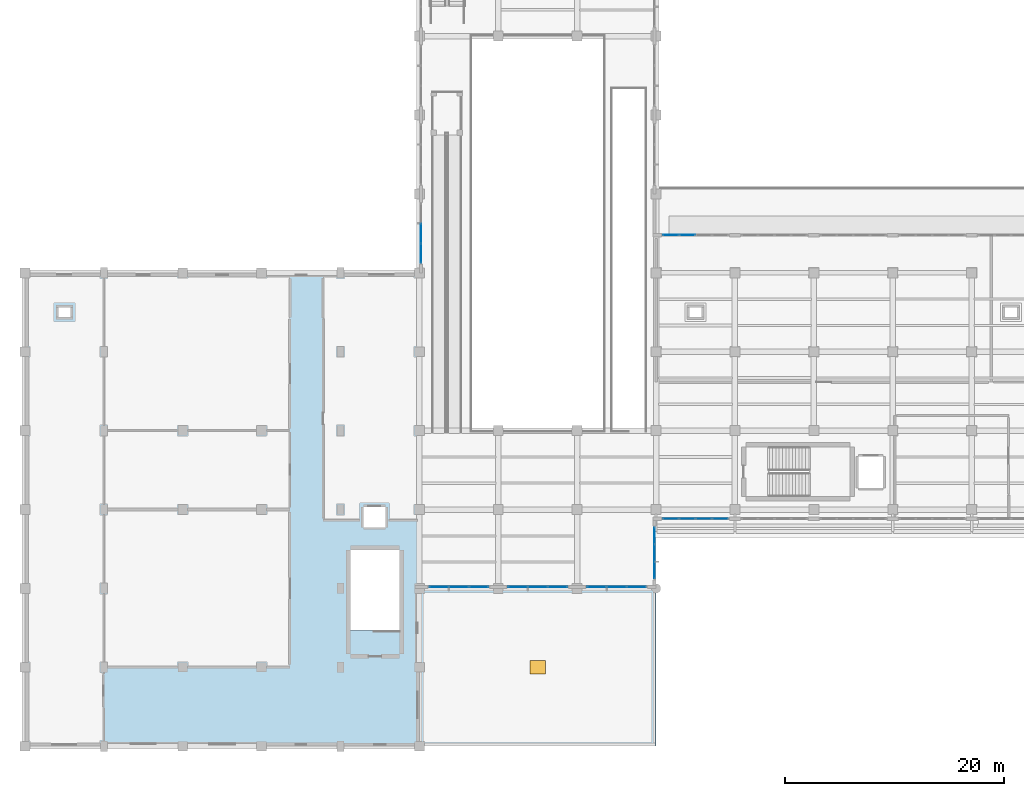
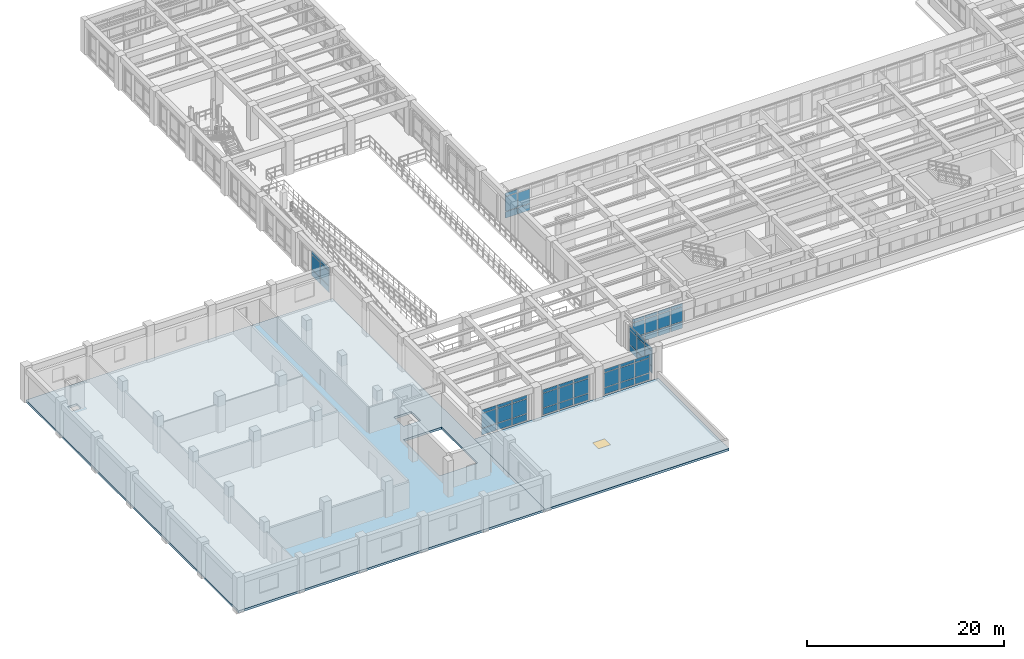
# One storey, part 35 of 69: 59 plates, 2 slabs, 1 window, 1 opening, 7 elements without a shape of their own.
"""IFC4 building model written with IfcOpenShell, lengths in metres."""

import ifcopenshell
import ifcopenshell.guid

model = None  # the IFC model being written
_history = None  # IfcOwnerHistory: only IFC2X3 demands one
_inside = {}  # id of a spatial element -> (the spatial element, [elements in it])
_under = {}  # id of a project, library or spatial element -> (it, [spatial elements below it])
_declared = {}  # id of a project -> (the project, [libraries it declares])
_typed = {}  # id of a type object -> (the type object, [elements of that type])
_made_of = {}  # id of a material, layer set ... -> (it, [elements and type objects made of it])


def new_model(schema):
    """Start an empty IFC model of exactly this schema.

    Asked for "IFC4X3", IfcOpenShell would pick the latest addendum, in which some entities
    have other attributes; the version numbers below select the first issue.
    IFC2X3 requires an IfcOwnerHistory on every rooted entity: one is made here for all.
    """
    global model, _history
    if schema == "IFC4X3":
        model = ifcopenshell.file(schema_version=(4, 3, 0, 0))
    else:
        model = ifcopenshell.file(schema=schema)
    _inside.clear()
    _under.clear()
    _declared.clear()
    _typed.clear()
    _made_of.clear()
    _history = None
    if model.schema == "IFC2X3":
        org = make("IfcOrganization", Name="unknown")
        user = make(
            "IfcPersonAndOrganization",
            ThePerson=make("IfcPerson", FamilyName="unknown"),
            TheOrganization=org,
        )
        app = make(
            "IfcApplication",
            ApplicationDeveloper=org,
            Version="unknown",
            ApplicationFullName="unknown",
            ApplicationIdentifier="unknown",
        )
        _history = make(
            "IfcOwnerHistory",
            OwningUser=user,
            OwningApplication=app,
            ChangeAction="ADDED",
            CreationDate=0,
        )
    return model


def make(cls, **values):
    """One entity of the class cls with the attributes given. An attribute that is None is left unset."""
    return model.create_entity(
        cls, **{name: value for name, value in values.items() if value is not None}
    )


def rooted(cls, **values):
    """An entity with a GlobalId (a new one), such as an element, a storey or a relation."""
    return make(cls, GlobalId=ifcopenshell.guid.new(), OwnerHistory=_history, **values)


def si_unit(unit_type, name, prefix=None):
    """IfcSIUnit, for example si_unit("LENGTHUNIT", "METRE", prefix="MILLI")."""
    return make("IfcSIUnit", UnitType=unit_type, Prefix=prefix, Name=name)


def assignment(units):
    """IfcUnitAssignment: the units of a project."""
    return None if units is None else make("IfcUnitAssignment", Units=units)


def point(xyz):
    """IfcCartesianPoint."""
    return None if xyz is None else make("IfcCartesianPoint", Coordinates=xyz)


def direction(xyz):
    """IfcDirection."""
    return None if xyz is None else make("IfcDirection", DirectionRatios=xyz)


def frame(location, z_axis=None, x_axis=None):
    """IfcAxis2Placement3D, a coordinate frame: its origin and axes. An axis left out is left unset."""
    return make(
        "IfcAxis2Placement3D",
        Location=point(location),
        Axis=direction(z_axis),
        RefDirection=direction(x_axis),
    )


def frame_2d(location, x_axis=None):
    """IfcAxis2Placement2D, a coordinate frame in the plane: its origin and x axis."""
    return make(
        "IfcAxis2Placement2D", Location=point(location), RefDirection=direction(x_axis)
    )


def origin():
    """The frame at (0, 0, 0) with its axes left unset."""
    return frame((0.0, 0.0, 0.0))


def origin_2d():
    """The frame at (0, 0) in the plane with its x axis left unset."""
    return frame_2d((0.0, 0.0))


def place(relative_to, where):
    """IfcLocalPlacement: puts the frame where relative to a parent placement (None: the world)."""
    return make(
        "IfcLocalPlacement", PlacementRelTo=relative_to, RelativePlacement=where
    )


def context(
    kind, dimensions, precision=None, world=None, true_north=None, identifier=None
):
    """IfcGeometricRepresentationContext, for example the 3D "Model" context."""
    return make(
        "IfcGeometricRepresentationContext",
        ContextIdentifier=identifier,
        ContextType=kind,
        CoordinateSpaceDimension=dimensions,
        Precision=precision,
        WorldCoordinateSystem=world,
        TrueNorth=true_north,
    )


def subcontext(parent, identifier, kind, view, scale=None):
    """IfcGeometricRepresentationSubContext, for example "Body" below "Model"."""
    return make(
        "IfcGeometricRepresentationSubContext",
        ContextIdentifier=identifier,
        ContextType=kind,
        ParentContext=parent,
        TargetScale=scale,
        TargetView=view,
    )


def project(units=None, contexts=None):
    """IfcProject with its units and contexts."""
    return rooted(
        "IfcProject",
        Name="project",
        RepresentationContexts=contexts,
        UnitsInContext=assignment(units),
    )


def spatial(cls, under=None, at=None, **own):
    """A site, building, storey or space (cls), placed at a placement, below another one or the project."""
    s = rooted(cls, ObjectPlacement=at, **own)
    if under is not None:
        _under.setdefault(under.id(), (under, []))[1].append(s)
    return s


def polyline(points):
    """IfcPolyline through the points."""
    return make("IfcPolyline", Points=[point(p) for p in points])


def profile(cls, at=None, kind="AREA", **sizes):
    """A parametric profile (cls). Its sizes go by their IFC names, for example OverallWidth=200.0."""
    return make(cls, ProfileType=kind, Position=at, **sizes)


def rectangle(**sizes):
    """IfcRectangleProfileDef."""
    return profile("IfcRectangleProfileDef", **sizes)


def outline(outer, holes=None, kind="AREA"):
    """IfcArbitraryClosedProfileDef: a profile drawn as a closed curve; with holes, ...WithVoids."""
    if holes is None:
        return make("IfcArbitraryClosedProfileDef", ProfileType=kind, OuterCurve=outer)
    return make(
        "IfcArbitraryProfileDefWithVoids",
        ProfileType=kind,
        OuterCurve=outer,
        InnerCurves=holes,
    )


def extrude(swept, where, along, depth):
    """IfcExtrudedAreaSolid: the profile swept, set in the frame where, extruded along a direction by depth."""
    return make(
        "IfcExtrudedAreaSolid",
        SweptArea=swept,
        Position=where,
        ExtrudedDirection=direction(along),
        Depth=depth,
    )


def shape(context_of_items, identifier, shape_type, items):
    """IfcShapeRepresentation: the items that make up one representation, for example the "Body"."""
    return make(
        "IfcShapeRepresentation",
        ContextOfItems=context_of_items,
        RepresentationIdentifier=identifier,
        RepresentationType=shape_type,
        Items=items,
    )


def material(Name=None, Category=None):
    """IfcMaterial."""
    return make("IfcMaterial", Name=Name, Category=Category)


def layer(
    of_material, thickness, ventilated=None, Name=None, Category=None, Priority=None
):
    """IfcMaterialLayer: one layer of a wall or slab, of a material (None: an air gap)."""
    return make(
        "IfcMaterialLayer",
        Material=of_material,
        LayerThickness=thickness,
        IsVentilated=ventilated,
        Name=Name,
        Category=Category,
        Priority=Priority,
    )


def layer_set(layers, Name=None):
    """IfcMaterialLayerSet."""
    return make("IfcMaterialLayerSet", MaterialLayers=layers, LayerSetName=Name)


def made_of(thing, what):
    """Note that an element or type object is made of a material, layer set ...; save() writes the relation."""
    if what is not None:
        _made_of.setdefault(what.id(), (what, []))[1].append(thing)
    return thing


def type_object(cls, material=None, **own):
    """A type object (cls), such as IfcWallType, which elements share."""
    return made_of(rooted(cls, **own), material)


def element(
    cls,
    number,
    at=None,
    inside=None,
    cuts=None,
    type_object=None,
    material=None,
    context=None,
    identifier="Body",
    shape_type=None,
    held_by="IfcProductDefinitionShape",
    body=None,
    shapes=None,
    **own,
):
    """One element of the class cls, such as IfcWall. Its Tag is "e" and its number.

    at: its placement. inside: the storey or other place that contains it. cuts: it is an
    opening in that element (IfcRelVoidsElement). A single representation is given by context,
    identifier, shape_type and body (its items); several are given by shapes. held_by: the class
    of the entity that holds the representations. save() writes the other relations.
    """
    e = rooted(cls, Tag="e%d" % number, ObjectPlacement=at, **own)
    if body is not None:
        shapes = [shape(context, identifier, shape_type, body)]
    if shapes is not None:
        e.Representation = make(held_by, Representations=shapes)
    if inside is not None:
        _inside.setdefault(inside.id(), (inside, []))[1].append(e)
    if cuts is not None:
        rooted(
            "IfcRelVoidsElement", RelatingBuildingElement=cuts, RelatedOpeningElement=e
        )
    if type_object is not None:
        _typed.setdefault(type_object.id(), (type_object, []))[1].append(e)
    return made_of(e, material)


def fill(opening, filler):
    """IfcRelFillsElement: the door or window that sits in an opening."""
    return rooted(
        "IfcRelFillsElement",
        RelatingOpeningElement=opening,
        RelatedBuildingElement=filler,
    )


def aggregate(whole, parts):
    """IfcRelAggregates: a whole, such as a stair, and the parts it consists of."""
    return rooted("IfcRelAggregates", RelatingObject=whole, RelatedObjects=parts)


def save(model, path):
    """Write the relations noted so far, then the file.

    IfcRelAggregates (storeys below a building ...), IfcRelContainedInSpatialStructure (elements
    in a storey), IfcRelDefinesByType, IfcRelAssociatesMaterial and IfcRelDeclares: one each for
    every whole, place, type object, material and project.
    """
    for whole, parts in _under.values():
        aggregate(whole, parts)
    for where, things in _inside.values():
        rooted(
            "IfcRelContainedInSpatialStructure",
            RelatedElements=things,
            RelatingStructure=where,
        )
    for kind, things in _typed.values():
        rooted("IfcRelDefinesByType", RelatedObjects=things, RelatingType=kind)
    for what, things in _made_of.values():
        rooted("IfcRelAssociatesMaterial", RelatedObjects=things, RelatingMaterial=what)
    for by, libraries in _declared.values():
        rooted("IfcRelDeclares", RelatingContext=by, RelatedDefinitions=libraries)
    model.write(path)


model = new_model("IFC4")

# Units and contexts
model_context = context("Model", 3, precision=1e-05, world=origin(), true_north=direction((0.0, 1.0)))
body_context = subcontext(model_context, "Body", "Model", "MODEL_VIEW")
ifc_project = project(units=[si_unit("LENGTHUNIT", "METRE"), si_unit("AREAUNIT", "SQUARE_METRE"), si_unit("VOLUMEUNIT", "CUBIC_METRE"), si_unit("PLANEANGLEUNIT", "RADIAN"), si_unit("MASSUNIT", "GRAM", prefix="KILO")], contexts=[model_context])

# Site, building, storey
site_placement = place(None, origin())
site = spatial("IfcSite", under=ifc_project, at=site_placement, CompositionType="ELEMENT")
building_placement = place(site_placement, origin())
building = spatial("IfcBuilding", under=site, at=building_placement, Name="Solenvale Faculty of Natural Sciences", CompositionType="ELEMENT")
storey_placement = place(building_placement, frame((0.0, 0.0, 4.5)))
storey = spatial("IfcBuildingStorey", under=building, at=storey_placement, Name="L01", CompositionType="ELEMENT", Elevation=4.5)

# Curtain wall, plates
ifc_material_1 = material(Name="Anodised bronze aluminium", Category="aluminium")
ifc_layer_1 = layer(ifc_material_1, 0.215087890625)
ifc_layer_set_1 = layer_set([ifc_layer_1], Name="Anodised bronze aluminium")
curtain_wall_type_1 = type_object("IfcCurtainWallType", Name="CW-ATR-UNIT", PredefinedType="USERDEFINED", material=ifc_layer_set_1)
curtain_wall_1_placement = place(storey_placement, origin())
curtain_wall_1 = element("IfcCurtainWall", 1, at=curtain_wall_1_placement, inside=storey, type_object=curtain_wall_type_1, Name="L01 Curtain Wall CW-L01-P1-E3-B3", ObjectType="UNITISED CURTAIN WALL", PredefinedType="USERDEFINED")
ifc_material_2 = material(Name="North-light skylight glass", Category="glass")
ifc_layer_2 = layer(ifc_material_2, 0.028076171875)
ifc_layer_set_2 = layer_set([ifc_layer_2], Name="North-light skylight glass")
plate_type_1 = type_object("IfcPlateType", Name="CWP-PNL-28", PredefinedType="CURTAIN_PANEL", material=ifc_layer_set_2)
plate_1_placement = place(storey_placement, frame((52.185302734375, 14.54248046875, 0.074951171875), z_axis=(0.0, 0.0, 1.0), x_axis=(1.0, 0.0, 0.0)))
plate_1 = element("IfcPlate", 2, at=plate_1_placement, type_object=plate_type_1, Name="CW-01 panel 1.1", PredefinedType="CURTAIN_PANEL", context=body_context, shape_type="SweptSolid", body=[
    extrude(rectangle(XDim=1.720947265625, YDim=0.028076171875, at=origin_2d()), origin(), (0.0, 0.0, 1.0), 0.78759765625),
])
plate_2_placement = place(storey_placement, frame((52.185302734375, 14.54248046875, 0.9375), z_axis=(0.0, 0.0, 1.0), x_axis=(1.0, 0.0, 0.0)))
plate_2 = element("IfcPlate", 3, at=plate_2_placement, type_object=plate_type_1, Name="CW-01 panel 1.2", PredefinedType="CURTAIN_PANEL", context=body_context, shape_type="SweptSolid", body=[
    extrude(rectangle(XDim=1.720947265625, YDim=0.028076171875, at=origin_2d()), origin(), (0.0, 0.0, 1.0), 1.784912109375),
])
plate_3_placement = place(storey_placement, frame((52.185302734375, 14.54248046875, 2.79736328125), z_axis=(0.0, 0.0, 1.0), x_axis=(1.0, 0.0, 0.0)))
plate_3 = element("IfcPlate", 4, at=plate_3_placement, type_object=plate_type_1, Name="CW-01 panel 1.3", PredefinedType="CURTAIN_PANEL", context=body_context, shape_type="SweptSolid", body=[
    extrude(rectangle(XDim=1.720947265625, YDim=0.028076171875, at=origin_2d()), origin(), (0.0, 0.0, 1.0), 0.387451171875),
])
plate_4_placement = place(storey_placement, frame((54.0, 14.54248046875, 0.074951171875), z_axis=(0.0, 0.0, 1.0), x_axis=(1.0, 0.0, 0.0)))
plate_4 = element("IfcPlate", 5, at=plate_4_placement, type_object=plate_type_1, Name="CW-01 panel 2.1", PredefinedType="CURTAIN_PANEL", context=body_context, shape_type="SweptSolid", body=[
    extrude(rectangle(XDim=1.75830078125, YDim=0.028076171875, at=origin_2d()), origin(), (0.0, 0.0, 1.0), 0.78759765625),
])
plate_5_placement = place(storey_placement, frame((54.0, 14.54248046875, 0.9375), z_axis=(0.0, 0.0, 1.0), x_axis=(1.0, 0.0, 0.0)))
plate_5 = element("IfcPlate", 6, at=plate_5_placement, type_object=plate_type_1, Name="CW-01 panel 2.2", PredefinedType="CURTAIN_PANEL", context=body_context, shape_type="SweptSolid", body=[
    extrude(rectangle(XDim=1.75830078125, YDim=0.028076171875, at=origin_2d()), origin(), (0.0, 0.0, 1.0), 1.784912109375),
])
plate_6_placement = place(storey_placement, frame((54.0, 14.54248046875, 2.79736328125), z_axis=(0.0, 0.0, 1.0), x_axis=(1.0, 0.0, 0.0)))
plate_6 = element("IfcPlate", 7, at=plate_6_placement, type_object=plate_type_1, Name="CW-01 panel 2.3", PredefinedType="CURTAIN_PANEL", context=body_context, shape_type="SweptSolid", body=[
    extrude(rectangle(XDim=1.75830078125, YDim=0.028076171875, at=origin_2d()), origin(), (0.0, 0.0, 1.0), 0.387451171875),
])
plate_7_placement = place(storey_placement, frame((55.814697265625, 14.54248046875, 0.074951171875), z_axis=(0.0, 0.0, 1.0), x_axis=(1.0, 0.0, 0.0)))
plate_7 = element("IfcPlate", 8, at=plate_7_placement, type_object=plate_type_1, Name="CW-01 panel 3.1", PredefinedType="CURTAIN_PANEL", context=body_context, shape_type="SweptSolid", body=[
    extrude(rectangle(XDim=1.720947265625, YDim=0.028076171875, at=origin_2d()), origin(), (0.0, 0.0, 1.0), 0.78759765625),
])
plate_8_placement = place(storey_placement, frame((55.814697265625, 14.54248046875, 0.9375), z_axis=(0.0, 0.0, 1.0), x_axis=(1.0, 0.0, 0.0)))
plate_8 = element("IfcPlate", 9, at=plate_8_placement, type_object=plate_type_1, Name="CW-01 panel 3.2", PredefinedType="CURTAIN_PANEL", context=body_context, shape_type="SweptSolid", body=[
    extrude(rectangle(XDim=1.720947265625, YDim=0.028076171875, at=origin_2d()), origin(), (0.0, 0.0, 1.0), 1.784912109375),
])
plate_9_placement = place(storey_placement, frame((55.814697265625, 14.54248046875, 2.79736328125), z_axis=(0.0, 0.0, 1.0), x_axis=(1.0, 0.0, 0.0)))
plate_9 = element("IfcPlate", 10, at=plate_9_placement, type_object=plate_type_1, Name="CW-01 panel 3.3", PredefinedType="CURTAIN_PANEL", context=body_context, shape_type="SweptSolid", body=[
    extrude(rectangle(XDim=1.720947265625, YDim=0.028076171875, at=origin_2d()), origin(), (0.0, 0.0, 1.0), 0.387451171875),
])
aggregate(curtain_wall_1, [plate_1, plate_2, plate_3, plate_4, plate_5, plate_6, plate_7, plate_8, plate_9])

ifc_layer_3 = layer(ifc_material_1, 0.18994140625)
ifc_layer_set_3 = layer_set([ifc_layer_3], Name="Anodised bronze aluminium")
curtain_wall_type_2 = type_object("IfcCurtainWallType", Name="CW-TRAY-REC", PredefinedType="USERDEFINED", material=ifc_layer_set_3)
curtain_wall_2_placement = place(storey_placement, origin())
curtain_wall_2 = element("IfcCurtainWall", 11, at=curtain_wall_2_placement, inside=storey, type_object=curtain_wall_type_2, Name="L01 Curtain Wall CW-L01-P1-E5-B1", ObjectType="UNITISED CURTAIN WALL", PredefinedType="USERDEFINED")
plate_10_placement = place(storey_placement, frame((58.953857421875, 20.762451171875, 0.074951171875), z_axis=(0.0, 0.0, 1.0), x_axis=(1.0, 0.0, 0.0)))
plate_10 = element("IfcPlate", 12, at=plate_10_placement, type_object=plate_type_1, Name="CW-02 panel 1.1", PredefinedType="CURTAIN_PANEL", context=body_context, shape_type="SweptSolid", body=[
    extrude(rectangle(XDim=1.3974609375, YDim=0.028076171875, at=origin_2d()), origin(), (0.0, 0.0, 1.0), 0.78759765625),
])
plate_11_placement = place(storey_placement, frame((58.953857421875, 20.762451171875, 0.9375), z_axis=(0.0, 0.0, 1.0), x_axis=(1.0, 0.0, 0.0)))
plate_11 = element("IfcPlate", 13, at=plate_11_placement, type_object=plate_type_1, Name="CW-02 panel 1.2", PredefinedType="CURTAIN_PANEL", context=body_context, shape_type="SweptSolid", body=[
    extrude(rectangle(XDim=1.3974609375, YDim=0.028076171875, at=origin_2d()), origin(), (0.0, 0.0, 1.0), 1.784912109375),
])
plate_12_placement = place(storey_placement, frame((58.953857421875, 20.762451171875, 2.79736328125), z_axis=(0.0, 0.0, 1.0), x_axis=(1.0, 0.0, 0.0)))
plate_12 = element("IfcPlate", 14, at=plate_12_placement, type_object=plate_type_1, Name="CW-02 panel 1.3", PredefinedType="CURTAIN_PANEL", context=body_context, shape_type="SweptSolid", body=[
    extrude(rectangle(XDim=1.3974609375, YDim=0.028076171875, at=origin_2d()), origin(), (0.0, 0.0, 1.0), 0.387451171875),
])
plate_13_placement = place(storey_placement, frame((60.445068359375, 20.762451171875, 0.074951171875), z_axis=(0.0, 0.0, 1.0), x_axis=(1.0, 0.0, 0.0)))
plate_13 = element("IfcPlate", 15, at=plate_13_placement, type_object=plate_type_1, Name="CW-02 panel 2.1", PredefinedType="CURTAIN_PANEL", context=body_context, shape_type="SweptSolid", body=[
    extrude(rectangle(XDim=1.43505859375, YDim=0.028076171875, at=origin_2d()), origin(), (0.0, 0.0, 1.0), 0.78759765625),
])
plate_14_placement = place(storey_placement, frame((60.445068359375, 20.762451171875, 0.9375), z_axis=(0.0, 0.0, 1.0), x_axis=(1.0, 0.0, 0.0)))
plate_14 = element("IfcPlate", 16, at=plate_14_placement, type_object=plate_type_1, Name="CW-02 panel 2.2", PredefinedType="CURTAIN_PANEL", context=body_context, shape_type="SweptSolid", body=[
    extrude(rectangle(XDim=1.43505859375, YDim=0.028076171875, at=origin_2d()), origin(), (0.0, 0.0, 1.0), 1.784912109375),
])
plate_15_placement = place(storey_placement, frame((60.445068359375, 20.762451171875, 2.79736328125), z_axis=(0.0, 0.0, 1.0), x_axis=(1.0, 0.0, 0.0)))
plate_15 = element("IfcPlate", 17, at=plate_15_placement, type_object=plate_type_1, Name="CW-02 panel 2.3", PredefinedType="CURTAIN_PANEL", context=body_context, shape_type="SweptSolid", body=[
    extrude(rectangle(XDim=1.43505859375, YDim=0.028076171875, at=origin_2d()), origin(), (0.0, 0.0, 1.0), 0.387451171875),
])
plate_16_placement = place(storey_placement, frame((61.955078125, 20.762451171875, 0.074951171875), z_axis=(0.0, 0.0, 1.0), x_axis=(1.0, 0.0, 0.0)))
plate_16 = element("IfcPlate", 18, at=plate_16_placement, type_object=plate_type_1, Name="CW-02 panel 3.1", PredefinedType="CURTAIN_PANEL", context=body_context, shape_type="SweptSolid", body=[
    extrude(rectangle(XDim=1.43505859375, YDim=0.028076171875, at=origin_2d()), origin(), (0.0, 0.0, 1.0), 0.78759765625),
])
plate_17_placement = place(storey_placement, frame((61.955078125, 20.762451171875, 0.9375), z_axis=(0.0, 0.0, 1.0), x_axis=(1.0, 0.0, 0.0)))
plate_17 = element("IfcPlate", 19, at=plate_17_placement, type_object=plate_type_1, Name="CW-02 panel 3.2", PredefinedType="CURTAIN_PANEL", context=body_context, shape_type="SweptSolid", body=[
    extrude(rectangle(XDim=1.43505859375, YDim=0.028076171875, at=origin_2d()), origin(), (0.0, 0.0, 1.0), 1.784912109375),
])
plate_18_placement = place(storey_placement, frame((61.955078125, 20.762451171875, 2.79736328125), z_axis=(0.0, 0.0, 1.0), x_axis=(1.0, 0.0, 0.0)))
plate_18 = element("IfcPlate", 20, at=plate_18_placement, type_object=plate_type_1, Name="CW-02 panel 3.3", PredefinedType="CURTAIN_PANEL", context=body_context, shape_type="SweptSolid", body=[
    extrude(rectangle(XDim=1.43505859375, YDim=0.028076171875, at=origin_2d()), origin(), (0.0, 0.0, 1.0), 0.387451171875),
])
plate_19_placement = place(storey_placement, frame((63.4462890625, 20.762451171875, 0.074951171875), z_axis=(0.0, 0.0, 1.0), x_axis=(1.0, 0.0, 0.0)))
plate_19 = element("IfcPlate", 21, at=plate_19_placement, type_object=plate_type_1, Name="CW-02 panel 4.1", PredefinedType="CURTAIN_PANEL", context=body_context, shape_type="SweptSolid", body=[
    extrude(rectangle(XDim=1.3974609375, YDim=0.028076171875, at=origin_2d()), origin(), (0.0, 0.0, 1.0), 0.78759765625),
])
plate_20_placement = place(storey_placement, frame((63.4462890625, 20.762451171875, 0.9375), z_axis=(0.0, 0.0, 1.0), x_axis=(1.0, 0.0, 0.0)))
plate_20 = element("IfcPlate", 22, at=plate_20_placement, type_object=plate_type_1, Name="CW-02 panel 4.2", PredefinedType="CURTAIN_PANEL", context=body_context, shape_type="SweptSolid", body=[
    extrude(rectangle(XDim=1.3974609375, YDim=0.028076171875, at=origin_2d()), origin(), (0.0, 0.0, 1.0), 1.784912109375),
])
plate_21_placement = place(storey_placement, frame((63.4462890625, 20.762451171875, 2.79736328125), z_axis=(0.0, 0.0, 1.0), x_axis=(1.0, 0.0, 0.0)))
plate_21 = element("IfcPlate", 23, at=plate_21_placement, type_object=plate_type_1, Name="CW-02 panel 4.3", PredefinedType="CURTAIN_PANEL", context=body_context, shape_type="SweptSolid", body=[
    extrude(rectangle(XDim=1.3974609375, YDim=0.028076171875, at=origin_2d()), origin(), (0.0, 0.0, 1.0), 0.387451171875),
])
aggregate(curtain_wall_2, [plate_10, plate_11, plate_12, plate_13, plate_14, plate_15, plate_16, plate_17, plate_18, plate_19, plate_20, plate_21])

curtain_wall_3_placement = place(storey_placement, origin())
curtain_wall_3 = element("IfcCurtainWall", 24, at=curtain_wall_3_placement, inside=storey, type_object=curtain_wall_type_2, Name="L01 Curtain Wall CW-L01-P1-E11-B8", ObjectType="UNITISED CURTAIN WALL", PredefinedType="USERDEFINED")
ifc_layer_4 = layer(ifc_material_1, 0.048095703125)
ifc_layer_set_4 = layer_set([ifc_layer_4], Name="Anodised bronze aluminium")
plate_type_2 = type_object("IfcPlateType", Name="CWP-PNL-48", PredefinedType="CURTAIN_PANEL", material=ifc_layer_set_4)
plate_22_placement = place(storey_placement, frame((60.445068359375, 46.637451171875, 0.074951171875), z_axis=(0.0, 0.0, 1.0), x_axis=(-1.0, 0.0, 0.0)))
plate_22 = element("IfcPlate", 25, at=plate_22_placement, type_object=plate_type_2, Name="CW-02 panel 3.1", PredefinedType="CURTAIN_PANEL", context=body_context, shape_type="SweptSolid", body=[
    extrude(rectangle(XDim=1.43505859375, YDim=0.048095703125, at=origin_2d()), origin(), (0.0, 0.0, 1.0), 0.78759765625),
])
plate_23_placement = place(storey_placement, frame((60.445068359375, 46.637451171875, 0.9375), z_axis=(0.0, 0.0, 1.0), x_axis=(-1.0, 0.0, 0.0)))
plate_23 = element("IfcPlate", 26, at=plate_23_placement, type_object=plate_type_2, Name="CW-02 panel 3.2", PredefinedType="CURTAIN_PANEL", context=body_context, shape_type="SweptSolid", body=[
    extrude(rectangle(XDim=1.43505859375, YDim=0.048095703125, at=origin_2d()), origin(), (0.0, 0.0, 1.0), 1.784912109375),
])
plate_24_placement = place(storey_placement, frame((58.953857421875, 46.637451171875, 0.074951171875), z_axis=(0.0, 0.0, 1.0), x_axis=(-1.0, 0.0, 0.0)))
plate_24 = element("IfcPlate", 27, at=plate_24_placement, type_object=plate_type_2, Name="CW-02 panel 4.1", PredefinedType="CURTAIN_PANEL", context=body_context, shape_type="SweptSolid", body=[
    extrude(rectangle(XDim=1.3974609375, YDim=0.048095703125, at=origin_2d()), origin(), (0.0, 0.0, 1.0), 0.78759765625),
])
plate_25_placement = place(storey_placement, frame((58.953857421875, 46.637451171875, 0.9375), z_axis=(0.0, 0.0, 1.0), x_axis=(-1.0, 0.0, 0.0)))
plate_25 = element("IfcPlate", 28, at=plate_25_placement, type_object=plate_type_2, Name="CW-02 panel 4.2", PredefinedType="CURTAIN_PANEL", context=body_context, shape_type="SweptSolid", body=[
    extrude(rectangle(XDim=1.3974609375, YDim=0.048095703125, at=origin_2d()), origin(), (0.0, 0.0, 1.0), 1.784912109375),
])
plate_26_placement = place(storey_placement, frame((58.953857421875, 46.637451171875, 2.79736328125), z_axis=(0.0, 0.0, 1.0), x_axis=(-1.0, 0.0, 0.0)))
plate_26 = element("IfcPlate", 29, at=plate_26_placement, type_object=plate_type_2, Name="CW-02 panel 4.3", PredefinedType="CURTAIN_PANEL", context=body_context, shape_type="SweptSolid", body=[
    extrude(rectangle(XDim=1.3974609375, YDim=0.048095703125, at=origin_2d()), origin(), (0.0, 0.0, 1.0), 0.387451171875),
])
aggregate(curtain_wall_3, [plate_22, plate_23, plate_24, plate_25, plate_26])

curtain_wall_4_placement = place(storey_placement, origin())
curtain_wall_4 = element("IfcCurtainWall", 30, at=curtain_wall_4_placement, inside=storey, type_object=curtain_wall_type_1, Name="L01 Curtain Wall CW-L01-P1-E3-B1", ObjectType="UNITISED CURTAIN WALL", PredefinedType="USERDEFINED")
ifc_layer_5 = layer(ifc_material_1, 0.053955078125)
ifc_layer_set_5 = layer_set([ifc_layer_5], Name="Anodised bronze aluminium")
plate_type_3 = type_object("IfcPlateType", Name="CWP-PNL-54", PredefinedType="CURTAIN_PANEL", material=ifc_layer_set_5)
plate_27_placement = place(storey_placement, frame((37.785400390625, 14.54248046875, 0.074951171875), z_axis=(0.0, 0.0, 1.0), x_axis=(1.0, 0.0, 0.0)))
plate_27 = element("IfcPlate", 31, at=plate_27_placement, type_object=plate_type_3, Name="CW-01 panel 1.1", PredefinedType="CURTAIN_PANEL", context=body_context, shape_type="SweptSolid", body=[
    extrude(rectangle(XDim=1.720947265625, YDim=0.053955078125, at=origin_2d()), origin(), (0.0, 0.0, 1.0), 0.78759765625),
])
plate_28_placement = place(storey_placement, frame((37.785400390625, 14.54248046875, 0.9375), z_axis=(0.0, 0.0, 1.0), x_axis=(1.0, 0.0, 0.0)))
plate_28 = element("IfcPlate", 32, at=plate_28_placement, type_object=plate_type_3, Name="CW-01 panel 1.2", PredefinedType="CURTAIN_PANEL", context=body_context, shape_type="SweptSolid", body=[
    extrude(rectangle(XDim=1.720947265625, YDim=0.053955078125, at=origin_2d()), origin(), (0.0, 0.0, 1.0), 1.784912109375),
])
plate_29_placement = place(storey_placement, frame((37.785400390625, 14.54248046875, 2.79736328125), z_axis=(0.0, 0.0, 1.0), x_axis=(1.0, 0.0, 0.0)))
plate_29 = element("IfcPlate", 33, at=plate_29_placement, type_object=plate_type_3, Name="CW-01 panel 1.3", PredefinedType="CURTAIN_PANEL", context=body_context, shape_type="SweptSolid", body=[
    extrude(rectangle(XDim=1.720947265625, YDim=0.053955078125, at=origin_2d()), origin(), (0.0, 0.0, 1.0), 0.387451171875),
])
plate_30_placement = place(storey_placement, frame((39.60009765625, 14.54248046875, 0.074951171875), z_axis=(0.0, 0.0, 1.0), x_axis=(1.0, 0.0, 0.0)))
plate_30 = element("IfcPlate", 34, at=plate_30_placement, type_object=plate_type_3, Name="CW-01 panel 2.1", PredefinedType="CURTAIN_PANEL", context=body_context, shape_type="SweptSolid", body=[
    extrude(rectangle(XDim=1.75830078125, YDim=0.053955078125, at=origin_2d()), origin(), (0.0, 0.0, 1.0), 0.78759765625),
])
plate_31_placement = place(storey_placement, frame((39.60009765625, 14.54248046875, 0.9375), z_axis=(0.0, 0.0, 1.0), x_axis=(1.0, 0.0, 0.0)))
plate_31 = element("IfcPlate", 35, at=plate_31_placement, type_object=plate_type_3, Name="CW-01 panel 2.2", PredefinedType="CURTAIN_PANEL", context=body_context, shape_type="SweptSolid", body=[
    extrude(rectangle(XDim=1.75830078125, YDim=0.053955078125, at=origin_2d()), origin(), (0.0, 0.0, 1.0), 1.784912109375),
])
plate_32_placement = place(storey_placement, frame((39.60009765625, 14.54248046875, 2.79736328125), z_axis=(0.0, 0.0, 1.0), x_axis=(1.0, 0.0, 0.0)))
plate_32 = element("IfcPlate", 36, at=plate_32_placement, type_object=plate_type_3, Name="CW-01 panel 2.3", PredefinedType="CURTAIN_PANEL", context=body_context, shape_type="SweptSolid", body=[
    extrude(rectangle(XDim=1.75830078125, YDim=0.053955078125, at=origin_2d()), origin(), (0.0, 0.0, 1.0), 0.387451171875),
])
plate_33_placement = place(storey_placement, frame((41.41455078125, 14.54248046875, 0.074951171875), z_axis=(0.0, 0.0, 1.0), x_axis=(1.0, 0.0, 0.0)))
plate_33 = element("IfcPlate", 37, at=plate_33_placement, type_object=plate_type_3, Name="CW-01 panel 3.1", PredefinedType="CURTAIN_PANEL", context=body_context, shape_type="SweptSolid", body=[
    extrude(rectangle(XDim=1.720947265625, YDim=0.053955078125, at=origin_2d()), origin(), (0.0, 0.0, 1.0), 0.78759765625),
])
plate_34_placement = place(storey_placement, frame((41.41455078125, 14.54248046875, 0.9375), z_axis=(0.0, 0.0, 1.0), x_axis=(1.0, 0.0, 0.0)))
plate_34 = element("IfcPlate", 38, at=plate_34_placement, type_object=plate_type_3, Name="CW-01 panel 3.2", PredefinedType="CURTAIN_PANEL", context=body_context, shape_type="SweptSolid", body=[
    extrude(rectangle(XDim=1.720947265625, YDim=0.053955078125, at=origin_2d()), origin(), (0.0, 0.0, 1.0), 1.784912109375),
])
plate_35_placement = place(storey_placement, frame((41.41455078125, 14.54248046875, 2.79736328125), z_axis=(0.0, 0.0, 1.0), x_axis=(1.0, 0.0, 0.0)))
plate_35 = element("IfcPlate", 39, at=plate_35_placement, type_object=plate_type_3, Name="CW-01 panel 3.3", PredefinedType="CURTAIN_PANEL", context=body_context, shape_type="SweptSolid", body=[
    extrude(rectangle(XDim=1.720947265625, YDim=0.053955078125, at=origin_2d()), origin(), (0.0, 0.0, 1.0), 0.387451171875),
])
aggregate(curtain_wall_4, [plate_27, plate_28, plate_29, plate_30, plate_31, plate_32, plate_33, plate_34, plate_35])

curtain_wall_5_placement = place(storey_placement, origin())
curtain_wall_5 = element("IfcCurtainWall", 40, at=curtain_wall_5_placement, inside=storey, type_object=curtain_wall_type_1, Name="L01 Curtain Wall CW-L01-P1-E3-B2", ObjectType="UNITISED CURTAIN WALL", PredefinedType="USERDEFINED")
ifc_layer_6 = layer(ifc_material_1, 0.06005859375)
ifc_layer_set_6 = layer_set([ifc_layer_6], Name="Anodised bronze aluminium")
plate_type_4 = type_object("IfcPlateType", Name="CWP-PNL-60", PredefinedType="CURTAIN_PANEL", material=ifc_layer_set_6)
plate_36_placement = place(storey_placement, frame((44.9853515625, 14.54248046875, 0.074951171875), z_axis=(0.0, 0.0, 1.0), x_axis=(1.0, 0.0, 0.0)))
plate_36 = element("IfcPlate", 41, at=plate_36_placement, type_object=plate_type_4, Name="CW-01 panel 1.1", PredefinedType="CURTAIN_PANEL", context=body_context, shape_type="SweptSolid", body=[
    extrude(rectangle(XDim=1.720947265625, YDim=0.06005859375, at=origin_2d()), origin(), (0.0, 0.0, 1.0), 0.78759765625),
])
plate_37_placement = place(storey_placement, frame((44.9853515625, 14.54248046875, 0.9375), z_axis=(0.0, 0.0, 1.0), x_axis=(1.0, 0.0, 0.0)))
plate_37 = element("IfcPlate", 42, at=plate_37_placement, type_object=plate_type_4, Name="CW-01 panel 1.2", PredefinedType="CURTAIN_PANEL", context=body_context, shape_type="SweptSolid", body=[
    extrude(rectangle(XDim=1.720947265625, YDim=0.06005859375, at=origin_2d()), origin(), (0.0, 0.0, 1.0), 1.784912109375),
])
plate_38_placement = place(storey_placement, frame((44.9853515625, 14.54248046875, 2.79736328125), z_axis=(0.0, 0.0, 1.0), x_axis=(1.0, 0.0, 0.0)))
plate_38 = element("IfcPlate", 43, at=plate_38_placement, type_object=plate_type_4, Name="CW-01 panel 1.3", PredefinedType="CURTAIN_PANEL", context=body_context, shape_type="SweptSolid", body=[
    extrude(rectangle(XDim=1.720947265625, YDim=0.06005859375, at=origin_2d()), origin(), (0.0, 0.0, 1.0), 0.387451171875),
])
plate_39_placement = place(storey_placement, frame((46.800048828125, 14.54248046875, 0.074951171875), z_axis=(0.0, 0.0, 1.0), x_axis=(1.0, 0.0, 0.0)))
plate_39 = element("IfcPlate", 44, at=plate_39_placement, type_object=plate_type_4, Name="CW-01 panel 2.1", PredefinedType="CURTAIN_PANEL", context=body_context, shape_type="SweptSolid", body=[
    extrude(rectangle(XDim=1.75830078125, YDim=0.06005859375, at=origin_2d()), origin(), (0.0, 0.0, 1.0), 0.78759765625),
])
plate_40_placement = place(storey_placement, frame((46.800048828125, 14.54248046875, 0.9375), z_axis=(0.0, 0.0, 1.0), x_axis=(1.0, 0.0, 0.0)))
plate_40 = element("IfcPlate", 45, at=plate_40_placement, type_object=plate_type_4, Name="CW-01 panel 2.2", PredefinedType="CURTAIN_PANEL", context=body_context, shape_type="SweptSolid", body=[
    extrude(rectangle(XDim=1.75830078125, YDim=0.06005859375, at=origin_2d()), origin(), (0.0, 0.0, 1.0), 1.784912109375),
])
plate_41_placement = place(storey_placement, frame((46.800048828125, 14.54248046875, 2.79736328125), z_axis=(0.0, 0.0, 1.0), x_axis=(1.0, 0.0, 0.0)))
plate_41 = element("IfcPlate", 46, at=plate_41_placement, type_object=plate_type_4, Name="CW-01 panel 2.3", PredefinedType="CURTAIN_PANEL", context=body_context, shape_type="SweptSolid", body=[
    extrude(rectangle(XDim=1.75830078125, YDim=0.06005859375, at=origin_2d()), origin(), (0.0, 0.0, 1.0), 0.387451171875),
])
plate_42_placement = place(storey_placement, frame((48.614501953125, 14.54248046875, 0.074951171875), z_axis=(0.0, 0.0, 1.0), x_axis=(1.0, 0.0, 0.0)))
plate_42 = element("IfcPlate", 47, at=plate_42_placement, type_object=plate_type_4, Name="CW-01 panel 3.1", PredefinedType="CURTAIN_PANEL", context=body_context, shape_type="SweptSolid", body=[
    extrude(rectangle(XDim=1.720947265625, YDim=0.06005859375, at=origin_2d()), origin(), (0.0, 0.0, 1.0), 0.78759765625),
])
plate_43_placement = place(storey_placement, frame((48.614501953125, 14.54248046875, 0.9375), z_axis=(0.0, 0.0, 1.0), x_axis=(1.0, 0.0, 0.0)))
plate_43 = element("IfcPlate", 48, at=plate_43_placement, type_object=plate_type_4, Name="CW-01 panel 3.2", PredefinedType="CURTAIN_PANEL", context=body_context, shape_type="SweptSolid", body=[
    extrude(rectangle(XDim=1.720947265625, YDim=0.06005859375, at=origin_2d()), origin(), (0.0, 0.0, 1.0), 1.784912109375),
])
plate_44_placement = place(storey_placement, frame((48.614501953125, 14.54248046875, 2.79736328125), z_axis=(0.0, 0.0, 1.0), x_axis=(1.0, 0.0, 0.0)))
plate_44 = element("IfcPlate", 49, at=plate_44_placement, type_object=plate_type_4, Name="CW-01 panel 3.3", PredefinedType="CURTAIN_PANEL", context=body_context, shape_type="SweptSolid", body=[
    extrude(rectangle(XDim=1.720947265625, YDim=0.06005859375, at=origin_2d()), origin(), (0.0, 0.0, 1.0), 0.387451171875),
])
aggregate(curtain_wall_5, [plate_36, plate_37, plate_38, plate_39, plate_40, plate_41, plate_42, plate_43, plate_44])

curtain_wall_6_placement = place(storey_placement, origin())
curtain_wall_6 = element("IfcCurtainWall", 50, at=curtain_wall_6_placement, inside=storey, type_object=curtain_wall_type_1, Name="L01 Curtain Wall CW-L01-P1-E4-B1", ObjectType="UNITISED CURTAIN WALL", PredefinedType="USERDEFINED")
plate_45_placement = place(storey_placement, frame((57.45751953125, 16.063720703125, 0.074951171875), z_axis=(0.0, 0.0, 1.0), x_axis=(0.0, 1.0, 0.0)))
plate_45 = element("IfcPlate", 51, at=plate_45_placement, type_object=plate_type_4, Name="CW-01 panel 1.1", PredefinedType="CURTAIN_PANEL", context=body_context, shape_type="SweptSolid", body=[
    extrude(rectangle(XDim=1.4775390625, YDim=0.06005859375, at=origin_2d()), origin(), (0.0, 0.0, 1.0), 0.78759765625),
])
plate_46_placement = place(storey_placement, frame((57.45751953125, 16.063720703125, 0.9375), z_axis=(0.0, 0.0, 1.0), x_axis=(0.0, 1.0, 0.0)))
plate_46 = element("IfcPlate", 52, at=plate_46_placement, type_object=plate_type_4, Name="CW-01 panel 1.2", PredefinedType="CURTAIN_PANEL", context=body_context, shape_type="SweptSolid", body=[
    extrude(rectangle(XDim=1.4775390625, YDim=0.06005859375, at=origin_2d()), origin(), (0.0, 0.0, 1.0), 1.784912109375),
])
plate_47_placement = place(storey_placement, frame((57.45751953125, 16.063720703125, 2.79736328125), z_axis=(0.0, 0.0, 1.0), x_axis=(0.0, 1.0, 0.0)))
plate_47 = element("IfcPlate", 53, at=plate_47_placement, type_object=plate_type_4, Name="CW-01 panel 1.3", PredefinedType="CURTAIN_PANEL", context=body_context, shape_type="SweptSolid", body=[
    extrude(rectangle(XDim=1.4775390625, YDim=0.06005859375, at=origin_2d()), origin(), (0.0, 0.0, 1.0), 0.387451171875),
])
plate_48_placement = place(storey_placement, frame((57.45751953125, 17.635009765625, 0.074951171875), z_axis=(0.0, 0.0, 1.0), x_axis=(0.0, 1.0, 0.0)))
plate_48 = element("IfcPlate", 54, at=plate_48_placement, type_object=plate_type_4, Name="CW-01 panel 2.1", PredefinedType="CURTAIN_PANEL", context=body_context, shape_type="SweptSolid", body=[
    extrude(rectangle(XDim=1.514892578125, YDim=0.06005859375, at=origin_2d()), origin(), (0.0, 0.0, 1.0), 0.78759765625),
])
plate_49_placement = place(storey_placement, frame((57.45751953125, 17.635009765625, 0.9375), z_axis=(0.0, 0.0, 1.0), x_axis=(0.0, 1.0, 0.0)))
plate_49 = element("IfcPlate", 55, at=plate_49_placement, type_object=plate_type_4, Name="CW-01 panel 2.2", PredefinedType="CURTAIN_PANEL", context=body_context, shape_type="SweptSolid", body=[
    extrude(rectangle(XDim=1.514892578125, YDim=0.06005859375, at=origin_2d()), origin(), (0.0, 0.0, 1.0), 1.784912109375),
])
plate_50_placement = place(storey_placement, frame((57.45751953125, 17.635009765625, 2.79736328125), z_axis=(0.0, 0.0, 1.0), x_axis=(0.0, 1.0, 0.0)))
plate_50 = element("IfcPlate", 56, at=plate_50_placement, type_object=plate_type_4, Name="CW-01 panel 2.3", PredefinedType="CURTAIN_PANEL", context=body_context, shape_type="SweptSolid", body=[
    extrude(rectangle(XDim=1.514892578125, YDim=0.06005859375, at=origin_2d()), origin(), (0.0, 0.0, 1.0), 0.387451171875),
])
plate_51_placement = place(storey_placement, frame((57.45751953125, 19.206298828125, 0.074951171875), z_axis=(0.0, 0.0, 1.0), x_axis=(0.0, 1.0, 0.0)))
plate_51 = element("IfcPlate", 57, at=plate_51_placement, type_object=plate_type_4, Name="CW-01 panel 3.1", PredefinedType="CURTAIN_PANEL", context=body_context, shape_type="SweptSolid", body=[
    extrude(rectangle(XDim=1.4775390625, YDim=0.06005859375, at=origin_2d()), origin(), (0.0, 0.0, 1.0), 0.78759765625),
])
plate_52_placement = place(storey_placement, frame((57.45751953125, 19.206298828125, 0.9375), z_axis=(0.0, 0.0, 1.0), x_axis=(0.0, 1.0, 0.0)))
plate_52 = element("IfcPlate", 58, at=plate_52_placement, type_object=plate_type_4, Name="CW-01 panel 3.2", PredefinedType="CURTAIN_PANEL", context=body_context, shape_type="SweptSolid", body=[
    extrude(rectangle(XDim=1.4775390625, YDim=0.06005859375, at=origin_2d()), origin(), (0.0, 0.0, 1.0), 1.784912109375),
])
plate_53_placement = place(storey_placement, frame((57.45751953125, 19.206298828125, 2.79736328125), z_axis=(0.0, 0.0, 1.0), x_axis=(0.0, 1.0, 0.0)))
plate_53 = element("IfcPlate", 59, at=plate_53_placement, type_object=plate_type_4, Name="CW-01 panel 3.3", PredefinedType="CURTAIN_PANEL", context=body_context, shape_type="SweptSolid", body=[
    extrude(rectangle(XDim=1.4775390625, YDim=0.06005859375, at=origin_2d()), origin(), (0.0, 0.0, 1.0), 0.387451171875),
])
aggregate(curtain_wall_6, [plate_45, plate_46, plate_47, plate_48, plate_49, plate_50, plate_51, plate_52, plate_53])

curtain_wall_7_placement = place(storey_placement, origin())
curtain_wall_7 = element("IfcCurtainWall", 60, at=curtain_wall_7_placement, inside=storey, type_object=curtain_wall_type_1, Name="L01 Curtain Wall CW-L01-P1-E14-B7", ObjectType="UNITISED CURTAIN WALL", PredefinedType="USERDEFINED")
plate_54_placement = place(storey_placement, frame((36.142578125, 46.800048828125, 0.074951171875), z_axis=(0.0, 0.0, 1.0), x_axis=(0.0, -1.0, 0.0)))
plate_54 = element("IfcPlate", 61, at=plate_54_placement, type_object=plate_type_4, Name="CW-01 panel 2.1", PredefinedType="CURTAIN_PANEL", context=body_context, shape_type="SweptSolid", body=[
    extrude(rectangle(XDim=1.75830078125, YDim=0.06005859375, at=origin_2d()), origin(), (0.0, 0.0, 1.0), 0.78759765625),
])
plate_55_placement = place(storey_placement, frame((36.142578125, 46.800048828125, 0.9375), z_axis=(0.0, 0.0, 1.0), x_axis=(0.0, -1.0, 0.0)))
plate_55 = element("IfcPlate", 62, at=plate_55_placement, type_object=plate_type_4, Name="CW-01 panel 2.2", PredefinedType="CURTAIN_PANEL", context=body_context, shape_type="SweptSolid", body=[
    extrude(rectangle(XDim=1.75830078125, YDim=0.06005859375, at=origin_2d()), origin(), (0.0, 0.0, 1.0), 1.784912109375),
])
plate_56_placement = place(storey_placement, frame((36.142578125, 46.800048828125, 2.79736328125), z_axis=(0.0, 0.0, 1.0), x_axis=(0.0, -1.0, 0.0)))
plate_56 = element("IfcPlate", 63, at=plate_56_placement, type_object=plate_type_4, Name="CW-01 panel 2.3", PredefinedType="CURTAIN_PANEL", context=body_context, shape_type="SweptSolid", body=[
    extrude(rectangle(XDim=1.75830078125, YDim=0.06005859375, at=origin_2d()), origin(), (0.0, 0.0, 1.0), 0.387451171875),
])
plate_57_placement = place(storey_placement, frame((36.142578125, 44.9853515625, 0.074951171875), z_axis=(0.0, 0.0, 1.0), x_axis=(0.0, -1.0, 0.0)))
plate_57 = element("IfcPlate", 64, at=plate_57_placement, type_object=plate_type_4, Name="CW-01 panel 3.1", PredefinedType="CURTAIN_PANEL", context=body_context, shape_type="SweptSolid", body=[
    extrude(rectangle(XDim=1.720947265625, YDim=0.06005859375, at=origin_2d()), origin(), (0.0, 0.0, 1.0), 0.78759765625),
])
plate_58_placement = place(storey_placement, frame((36.142578125, 44.9853515625, 0.9375), z_axis=(0.0, 0.0, 1.0), x_axis=(0.0, -1.0, 0.0)))
plate_58 = element("IfcPlate", 65, at=plate_58_placement, type_object=plate_type_4, Name="CW-01 panel 3.2", PredefinedType="CURTAIN_PANEL", context=body_context, shape_type="SweptSolid", body=[
    extrude(rectangle(XDim=1.720947265625, YDim=0.06005859375, at=origin_2d()), origin(), (0.0, 0.0, 1.0), 1.784912109375),
])
plate_59_placement = place(storey_placement, frame((36.142578125, 44.9853515625, 2.79736328125), z_axis=(0.0, 0.0, 1.0), x_axis=(0.0, -1.0, 0.0)))
plate_59 = element("IfcPlate", 66, at=plate_59_placement, type_object=plate_type_4, Name="CW-01 panel 3.3", PredefinedType="CURTAIN_PANEL", context=body_context, shape_type="SweptSolid", body=[
    extrude(rectangle(XDim=1.720947265625, YDim=0.06005859375, at=origin_2d()), origin(), (0.0, 0.0, 1.0), 0.387451171875),
])
aggregate(curtain_wall_7, [plate_54, plate_55, plate_56, plate_57, plate_58, plate_59])

# Slab
ifc_material_3 = material(Name="Concrete 40 MPa", Category="concrete")
ifc_layer_7 = layer(ifc_material_3, 0.280029296875)
ifc_layer_set_7 = layer_set([ifc_layer_7], Name="Concrete 40 MPa")
slab_type_1 = type_object("IfcSlabType", Name="SL-FLR-280", PredefinedType="FLOOR", material=ifc_layer_set_7)
slab_1_placement = place(storey_placement, frame((0.0, 0.0, -0.280029296875)))
element("IfcSlab", 67, at=slab_1_placement, inside=storey, type_object=slab_type_1, Name="L01 V1 Floor Slab 1.1", PredefinedType="FLOOR", context=body_context, shape_type="SweptSolid", body=[
    extrude(outline(polyline([(35.97509765625, 43.199951171875), (35.99267578125, 43.192626953125), (36.0, 43.175048828125), (36.0, 0.02490234375), (35.994384765625, 0.009033203125), (35.97509765625, 0.0), (0.02490234375, 0.0), (0.009033203125, 0.005615234375), (0.0, 0.02490234375), (0.0, 43.175048828125), (0.005615234375, 43.19091796875), (0.02490234375, 43.199951171875), (35.97509765625, 43.199951171875)]), holes=[polyline([(29.699951171875, 10.5400390625), (34.199951171875, 10.5400390625), (34.199951171875, 17.89990234375), (29.699951171875, 17.89990234375), (29.699951171875, 10.5400390625)]), polyline([(30.885009765625, 19.9599609375), (32.9150390625, 19.9599609375), (32.9150390625, 21.840087890625), (30.885009765625, 21.840087890625), (30.885009765625, 19.9599609375)]), polyline([(3.050048828125, 39.14990234375), (4.14990234375, 39.14990234375), (4.14990234375, 40.050048828125), (3.050048828125, 40.050048828125), (3.050048828125, 39.14990234375)])]), origin(), (0.0, 0.0, 1.0), 0.280029296875),
])

# Slab, opening, window
ifc_layer_8 = layer(ifc_material_3, 0.280029296875)
ifc_layer_set_8 = layer_set([ifc_layer_8], Name="Concrete 40 MPa")
slab_type_2 = type_object("IfcSlabType", Name="SL-ROOF-280", PredefinedType="ROOF", material=ifc_layer_set_8)
slab_2_placement = place(storey_placement, frame((0.0, 0.0, -0.280029296875)))
slab_2 = element("IfcSlab", 68, at=slab_2_placement, inside=storey, type_object=slab_type_2, Name="L01 Flat Roof Deck 1", PredefinedType="ROOF", context=body_context, shape_type="SweptSolid", body=[
    extrude(outline(polyline([(36.0, 0.0), (36.0, 14.39990234375), (57.60009765625, 14.39990234375), (57.60009765625, 0.0), (36.0, 0.0)])), origin(), (0.0, 0.0, 1.0), 0.280029296875),
])
opening_placement = place(slab_2_placement, frame((46.800048828125, 7.199951171875, -0.010009765625)))
opening = element("IfcOpeningElement", 69, at=opening_placement, cuts=slab_2, Name="Opening SK-02", PredefinedType="OPENING", context=body_context, shape_type="SweptSolid", body=[
    extrude(rectangle(XDim=1.39990234375, YDim=1.199951171875, at=origin_2d()), origin(), (0.0, 0.0, 1.0), 0.300048828125),
])
window_type = type_object("IfcWindowType", Name="SK-HT-1400x1200", PartitioningType="SINGLE_PANEL", PredefinedType="SKYLIGHT", material=ifc_material_2)
window_placement = place(slab_2_placement, frame((46.800048828125, 7.199951171875, 0.22998046875)))
window = element("IfcWindow", 70, at=window_placement, inside=storey, type_object=window_type, Name="L01 Roof Skylight Hatch 2", OverallHeight=1.199951171875, OverallWidth=1.39990234375, PartitioningType="SINGLE_PANEL", PredefinedType="SKYLIGHT", context=body_context, shape_type="SweptSolid", body=[
    extrude(rectangle(XDim=1.39990234375, YDim=1.199951171875, at=origin_2d()), origin(), (0.0, 0.0, 1.0), 0.050048828125),
])
fill(opening, window)

save(model, "model.ifc")
